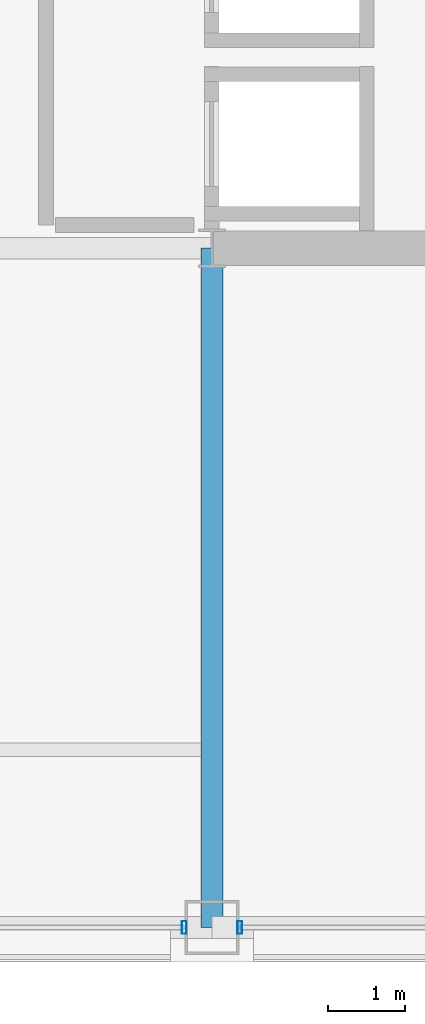
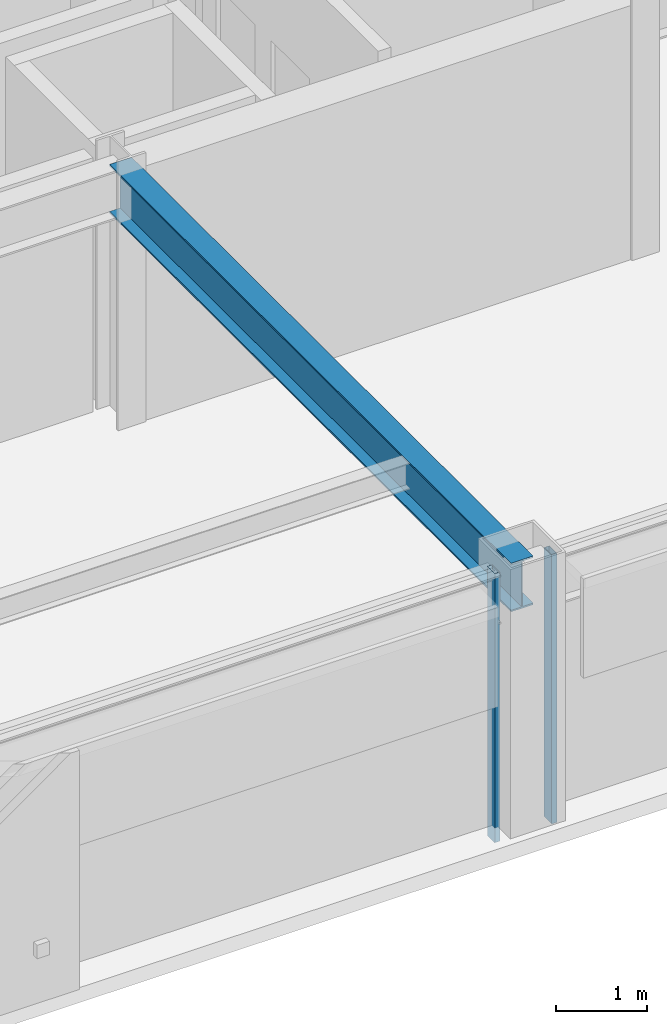
# One storey, part 6 of 30: 2 members, 1 beam, 2 elements without a shape of their own.
"""IFC4 building model written with IfcOpenShell, lengths in metres."""

from ifc_helpers import new_model, si_unit, direction, frame, origin, origin_2d, place, context, subcontext, project, spatial, hollow_rectangle, i_section, extrude, material, layer, layer_set, material_profile, profile_set, type_object, element, aggregate, save


model = new_model("IFC4")

# Units and contexts
model_context = context("Model", 3, precision=1e-05, world=origin(), true_north=direction((0.0, 1.0)))
body_context = subcontext(model_context, "Body", "Model", "MODEL_VIEW")
ifc_project = project(units=[si_unit("LENGTHUNIT", "METRE"), si_unit("AREAUNIT", "SQUARE_METRE"), si_unit("VOLUMEUNIT", "CUBIC_METRE"), si_unit("PLANEANGLEUNIT", "RADIAN"), si_unit("MASSUNIT", "GRAM", prefix="KILO")], contexts=[model_context])

# Site, building, storey
site_placement = place(None, origin())
site = spatial("IfcSite", under=ifc_project, at=site_placement, CompositionType="ELEMENT")
building_placement = place(site_placement, origin())
building = spatial("IfcBuilding", under=site, at=building_placement, Name="Brelmoor Portico Tower", CompositionType="ELEMENT")
storey_placement = place(building_placement, frame((0.0, 0.0, 198.300048828125)))
storey = spatial("IfcBuildingStorey", under=building, at=storey_placement, Name="L52", CompositionType="ELEMENT", Elevation=198.300048828125)

# Beam
ifc_material_1 = material(Name="Steel Q355B", Category="steel")
ifc_material_profile_1 = material_profile(ifc_material_1, i_section(OverallWidth=0.280029296875, OverallDepth=0.64990234375, WebThickness=0.012939453125, FlangeThickness=0.02197265625, at=origin_2d()), Name="HN 650x280x13x22")
ifc_profile_set_1 = profile_set([ifc_material_profile_1], Name="Steel Q355B")
beam_type = type_object("IfcBeamType", Name="BM-PG-650", PredefinedType="BEAM", material=ifc_profile_set_1)
beam_placement = place(storey_placement, frame((8.050048828125, -18.550048828125, 3.074951171875), z_axis=(0.0, 1.0, 0.0), x_axis=(-1.0, 0.0, 0.0)))
element("IfcBeam", 1, at=beam_placement, inside=storey, type_object=beam_type, Name="L52 Primary Floor Girder PG-06", PredefinedType="BEAM", context=body_context, shape_type="SweptSolid", body=[
    extrude(i_section(OverallWidth=0.280029296875, OverallDepth=0.64990234375, WebThickness=0.012939453125, FlangeThickness=0.02197265625, at=origin_2d()), origin(), (0.0, 0.0, 1.0), 8.800048828125),
])

# Curtain wall, member
ifc_material_2 = material(Name="Anodised Aluminium Alloy 6063-T6", Category="aluminium")
ifc_layer = layer(ifc_material_2, 0.179931640625)
ifc_layer_set = layer_set([ifc_layer], Name="Anodised Aluminium Alloy 6063-T6")
curtain_wall_type = type_object("IfcCurtainWallType", Name="CW-TOWER-Z3-XB", PredefinedType="NOTDEFINED", material=ifc_layer_set)
curtain_wall_1_placement = place(storey_placement, origin())
curtain_wall_1 = element("IfcCurtainWall", 2, at=curtain_wall_1_placement, inside=storey, type_object=curtain_wall_type, Name="L52 Curtain Wall CW-L52-01-2", PredefinedType="NOTDEFINED")
ifc_material_profile_2 = material_profile(ifc_material_2, hollow_rectangle(XDim=0.06494140625, YDim=0.1650390625, WallThickness=0.00390625, at=origin_2d()), Name="ALU MULLION 65x165")
ifc_profile_set_2 = profile_set([ifc_material_profile_2], Name="Anodised Aluminium Alloy 6063-T6")
member_type = type_object("IfcMemberType", Name="MB-CW-MULL-165", PredefinedType="MULLION", material=ifc_profile_set_2)
member_1_placement = place(storey_placement, frame((7.68994140625, -18.550048828125, -0.199951171875), z_axis=(0.0, 0.0, 1.0), x_axis=(1.0, 0.0, 0.0)))
member_1 = element("IfcMember", 3, at=member_1_placement, type_object=member_type, Name="CW-L52-01-2 Mullion 01", PredefinedType="MULLION", context=body_context, shape_type="SweptSolid", body=[
    extrude(hollow_rectangle(XDim=0.06494140625, YDim=0.1650390625, WallThickness=0.00390625, at=origin_2d()), origin(), (0.0, 0.0, 1.0), 3.599853515625),
])
aggregate(curtain_wall_1, [member_1])

curtain_wall_2_placement = place(storey_placement, origin())
curtain_wall_2 = element("IfcCurtainWall", 4, at=curtain_wall_2_placement, inside=storey, type_object=curtain_wall_type, Name="L52 Curtain Wall CW-L52-01-3", PredefinedType="NOTDEFINED")
member_2_placement = place(storey_placement, frame((8.409912109375, -18.550048828125, -0.199951171875), z_axis=(0.0, 0.0, 1.0), x_axis=(1.0, 0.0, 0.0)))
member_2 = element("IfcMember", 5, at=member_2_placement, type_object=member_type, Name="CW-L52-01-3 Mullion 00", PredefinedType="MULLION", context=body_context, shape_type="SweptSolid", body=[
    extrude(hollow_rectangle(XDim=0.06494140625, YDim=0.1650390625, WallThickness=0.00390625, at=origin_2d()), origin(), (0.0, 0.0, 1.0), 3.599853515625),
])
aggregate(curtain_wall_2, [member_2])

save(model, "model.ifc")
